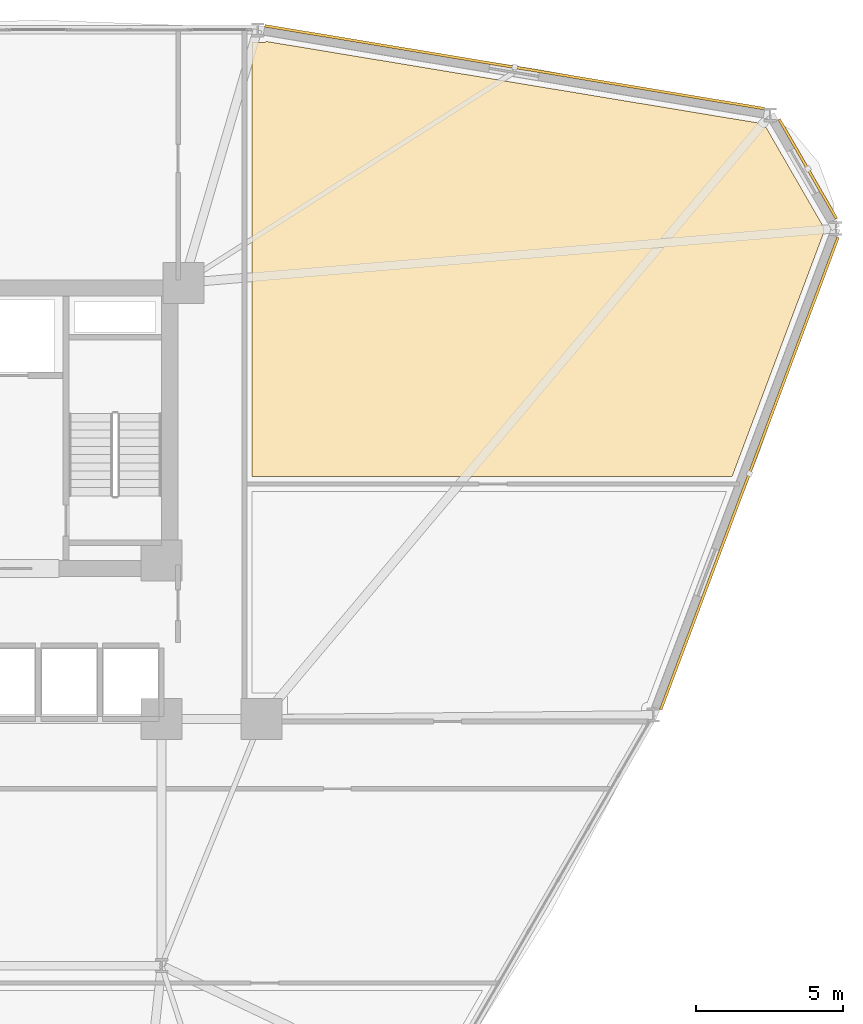
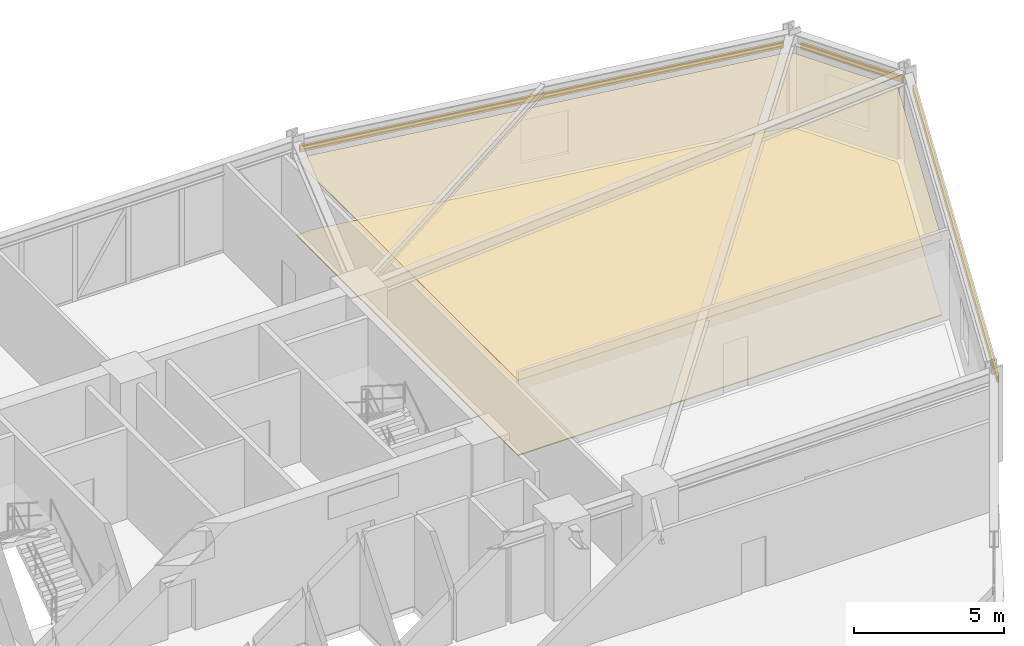
# One storey, part 20 of 20: 3 shading devices, 2 coverings.
"""IFC4 building model written with IfcOpenShell, lengths in metres."""

from ifc_helpers import new_model, si_unit, derived_unit, direction, frame, origin, origin_2d, place, context, subcontext, project, spatial, polyline, hollow_rectangle, outline, extrude, source, transform, mapped, material, layer, layer_set, material_profile, profile_set, type_object, element, save


model = new_model("IFC4")

# Units and contexts
model_context = context("Model", 3, precision=1e-05, world=origin(), true_north=direction((0.0, 1.0)))
body_context = subcontext(model_context, "Body", "Model", "MODEL_VIEW")
ifc_project = project(units=[si_unit("LENGTHUNIT", "METRE"), si_unit("AREAUNIT", "SQUARE_METRE"), si_unit("VOLUMEUNIT", "CUBIC_METRE"), si_unit("PLANEANGLEUNIT", "RADIAN"), si_unit("MASSUNIT", "GRAM", prefix="KILO"), derived_unit("THERMALTRANSMITTANCEUNIT", [(si_unit("POWERUNIT", "WATT"), 1), (si_unit("LENGTHUNIT", "METRE"), -2), (si_unit("THERMODYNAMICTEMPERATUREUNIT", "KELVIN"), -1)])], contexts=[model_context])

# Site, building, storey
site_placement = place(None, origin())
site = spatial("IfcSite", under=ifc_project, at=site_placement, CompositionType="ELEMENT")
building_placement = place(site_placement, origin())
building = spatial("IfcBuilding", under=site, at=building_placement, Name="Korsvarv Bourse and Concert Hall", CompositionType="ELEMENT")
storey_placement = place(building_placement, frame((0.0, 0.0, 79.5)))
storey = spatial("IfcBuildingStorey", under=building, at=storey_placement, Name="L19", CompositionType="ELEMENT", Elevation=79.5)

# Coverings
ifc_material_1 = material(Name="Perforated mineral-wool and birch acoustic baffle ceiling", Category="wood")
ifc_layer_1 = layer(ifc_material_1, 0.02490234375)
ifc_layer_set_1 = layer_set([ifc_layer_1], Name="Perforated mineral-wool and birch acoustic baffle ceiling")
covering_type_1 = type_object("IfcCoveringType", Name="COV-CEIL-1", PredefinedType="CEILING", material=ifc_layer_set_1)
covering_1_placement = place(storey_placement, frame((0.0, 0.0, 3.06005859375)))
element("IfcCovering", 1, at=covering_1_placement, inside=storey, type_object=covering_type_1, Name="L19 acoustic baffle ceiling 1", PredefinedType="CEILING", context=body_context, shape_type="SweptSolid", body=[
    extrude(outline(polyline([(47.876708984375, 55.440673828125), (47.912109375, 55.443603515625), (47.9462890625, 55.453125), (47.97802734375, 55.469482421875), (64.731201171875, 52.693115234375), (64.740478515625, 52.664306640625), (64.758056640625, 52.632568359375), (64.781494140625, 52.60498046875), (64.810302734375, 52.58251953125), (64.8427734375, 52.56640625), (64.8779296875, 52.55712890625), (64.978759765625, 52.55078125), (66.960205078125, 49.118408203125), (66.960205078125, 48.998779296875), (63.824951171875, 40.64990234375), (47.47998046875, 40.64990234375), (47.47998046875, 55.449951171875), (47.876708984375, 55.440673828125)])), origin(), (0.0, 0.0, 1.0), 0.02490234375),
])
ifc_material_2 = material(Name="Calcium-sulphate raised access trading floor with Nordic oak top", Category="wood")
ifc_layer_2 = layer(ifc_material_2, 0.0400390625)
ifc_layer_set_2 = layer_set([ifc_layer_2], Name="Calcium-sulphate raised access trading floor with Nordic oak top")
covering_type_2 = type_object("IfcCoveringType", Name="COV-FLOR-1", PredefinedType="FLOORING", material=ifc_layer_set_2)
covering_2_placement = place(storey_placement, origin())
element("IfcCovering", 2, at=covering_2_placement, inside=storey, type_object=covering_type_2, Name="L19 raised access oak floor finish 1", PredefinedType="FLOORING", context=body_context, shape_type="SweptSolid", body=[
    extrude(outline(polyline([(47.876708984375, 55.440673828125), (47.912109375, 55.443603515625), (47.9462890625, 55.453125), (47.97802734375, 55.469482421875), (64.731201171875, 52.693115234375), (64.740478515625, 52.664306640625), (64.758056640625, 52.632568359375), (64.781494140625, 52.60498046875), (64.810302734375, 52.58251953125), (64.8427734375, 52.56640625), (64.8779296875, 52.55712890625), (64.978759765625, 52.55078125), (66.960205078125, 49.118408203125), (66.960205078125, 48.998779296875), (63.824951171875, 40.64990234375), (47.47998046875, 40.64990234375), (47.47998046875, 55.449951171875), (47.876708984375, 55.440673828125)])), origin(), (0.0, 0.0, 1.0), 0.0400390625),
])

# Shading devices
ifc_material_3 = material(Name="Glazed extruded architectural terracotta", Category="ceramic")
ifc_material_profile = material_profile(ifc_material_3, hollow_rectangle(XDim=0.090087890625, YDim=0.260009765625, WallThickness=0.011962890625, at=origin_2d()), Name="TC-BAG 90x260")
ifc_profile_set = profile_set([ifc_material_profile], Name="Glazed extruded architectural terracotta")
shading_device_type = type_object("IfcShadingDeviceType", Name="SHD-BAG-1", PredefinedType="USERDEFINED", material=ifc_profile_set)
shared_shape_1 = source(origin(), body_context, "Body", "SweptSolid", [
    extrude(hollow_rectangle(XDim=0.090087890625, YDim=0.260009765625, WallThickness=0.011962890625, at=origin_2d()), origin(), (0.0, 0.0, 1.0), 3.90966796875),
])
shading_device_1_placement = place(storey_placement, frame((67.3828125, 49.436767578125, 3.070068359375), z_axis=(-0.500014353419, 0.866017116675, 0.0), x_axis=(-0.866017116675, -0.500014353419, 0.0)))
element("IfcShadingDevice", 3, at=shading_device_1_placement, inside=storey, type_object=shading_device_type, Name="L19 terracotta baguette sunshade EW-L19-B01", ObjectType="BAGUETTE", PredefinedType="USERDEFINED", context=body_context, shape_type="MappedRepresentation", body=[
    mapped(shared_shape_1, transform((0.0, 0.0, 0.0), scale=1.0)),
])
shared_shape_2 = source(origin(), body_context, "Body", "SweptSolid", [
    extrude(hollow_rectangle(XDim=0.090087890625, YDim=0.260009765625, WallThickness=0.011962890625, at=origin_2d()), origin(), (0.0, 0.0, 1.0), 17.258056640625),
])
shading_device_2_placement = place(storey_placement, frame((64.939697265625, 53.1806640625, 3.070068359375), z_axis=(-0.986523610756, 0.163618964122, 0.0), x_axis=(-0.163618964122, -0.986523610756, 0.0)))
element("IfcShadingDevice", 4, at=shading_device_2_placement, inside=storey, type_object=shading_device_type, Name="L19 terracotta baguette sunshade EW-L19-B02", ObjectType="BAGUETTE", PredefinedType="USERDEFINED", context=body_context, shape_type="MappedRepresentation", body=[
    mapped(shared_shape_2, transform((0.0, 0.0, 0.0), scale=1.0)),
])
shared_shape_3 = source(origin(), body_context, "Body", "SweptSolid", [
    extrude(hollow_rectangle(XDim=0.090087890625, YDim=0.260009765625, WallThickness=0.011962890625, at=origin_2d()), origin(), (0.0, 0.0, 1.0), 17.1806640625),
])
shading_device_3_placement = place(storey_placement, frame((61.39501953125, 32.714599609375, 3.070068359375), z_axis=(0.351559441404, 0.936165561832, 0.0), x_axis=(-0.936165561832, 0.351559441404, 0.0)))
element("IfcShadingDevice", 5, at=shading_device_3_placement, inside=storey, type_object=shading_device_type, Name="L19 terracotta baguette sunshade EW-L19-B12", ObjectType="BAGUETTE", PredefinedType="USERDEFINED", context=body_context, shape_type="MappedRepresentation", body=[
    mapped(shared_shape_3, transform((0.0, 0.0, 0.0), scale=1.0)),
])

save(model, "model.ifc")
